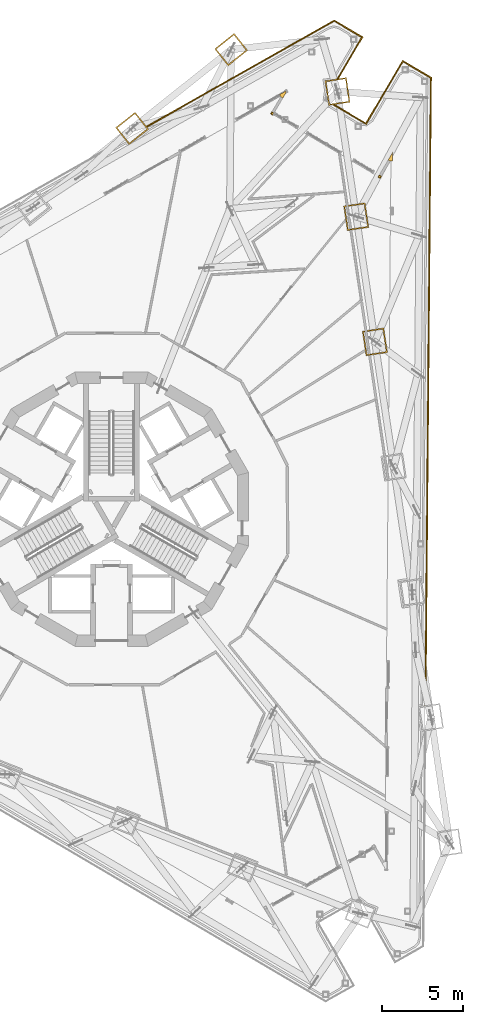
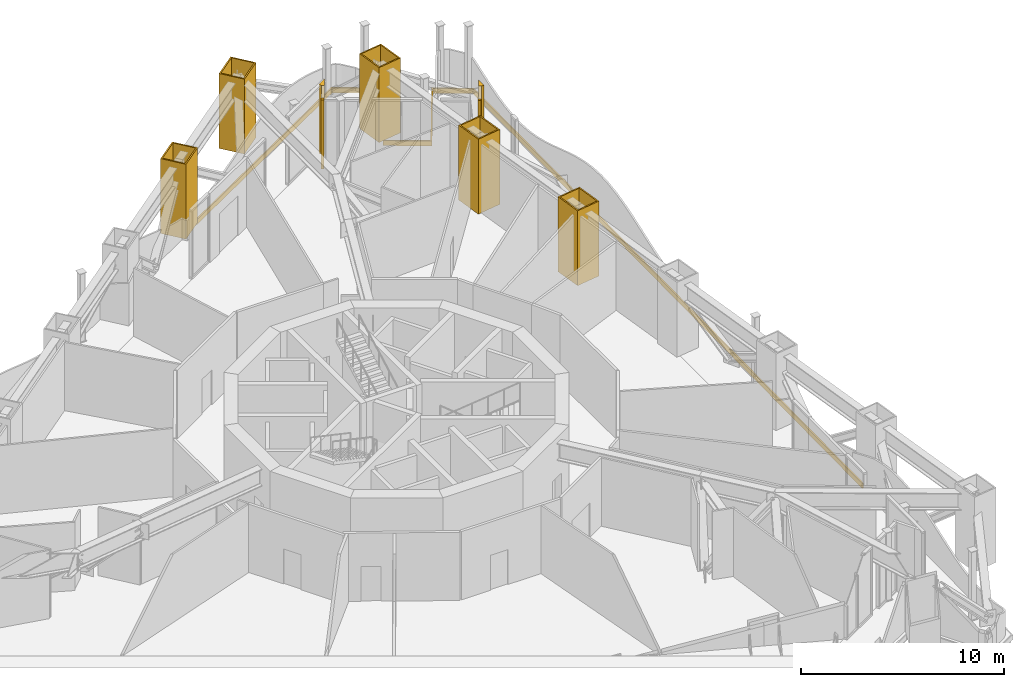
# One storey, part 25 of 27: 11 coverings.
"""IFC4 building model written with IfcOpenShell, lengths in metres."""

from ifc_helpers import new_model, si_unit, direction, frame, origin, place, context, subcontext, project, spatial, polyline, outline, extrude, material, layer, layer_set, type_object, element, save


model = new_model("IFC4")

# Units and contexts
model_context = context("Model", 3, precision=1e-05, world=origin(), true_north=direction((0.0, 1.0)))
body_context = subcontext(model_context, "Body", "Model", "MODEL_VIEW")
ifc_project = project(units=[si_unit("LENGTHUNIT", "METRE"), si_unit("AREAUNIT", "SQUARE_METRE"), si_unit("VOLUMEUNIT", "CUBIC_METRE"), si_unit("PLANEANGLEUNIT", "RADIAN"), si_unit("MASSUNIT", "GRAM", prefix="KILO")], contexts=[model_context])

# Site, building, storey
site_placement = place(None, origin())
site = spatial("IfcSite", under=ifc_project, at=site_placement, CompositionType="ELEMENT")
building_placement = place(site_placement, origin())
building = spatial("IfcBuilding", under=site, at=building_placement, Name="Trine Commons Tower", CompositionType="ELEMENT")
storey_placement = place(building_placement, frame((0.0, 0.0, 193.5)))
storey = spatial("IfcBuildingStorey", under=building, at=storey_placement, Name="L50", CompositionType="ELEMENT", Elevation=193.5)

# Coverings
ifc_material_1 = material(Name="Aluminium-framed insulated wall panel", Category="aluminium")
ifc_layer_1 = layer(ifc_material_1, 0.14990234375)
ifc_layer_set_1 = layer_set([ifc_layer_1], Name="Aluminium-framed insulated wall panel")
covering_type_1 = type_object("IfcCoveringType", Name="Glazing corner post, aluminium", PredefinedType="CLADDING", material=ifc_layer_set_1)
covering_1_placement = place(storey_placement, origin())
element("IfcCovering", 1, at=covering_1_placement, inside=storey, type_object=covering_type_1, Name="Glazing corner post 5-05", PredefinedType="CLADDING", context=body_context, shape_type="SweptSolid", body=[
    extrude(outline(polyline([(90.626220703125, 88.007080078125), (90.910400390625, 88.489501953125), (90.423095703125, 88.213623046875), (90.496826171875, 88.083251953125), (90.626220703125, 88.007080078125)])), origin(), (0.0, 0.0, 1.0), 4.14990234375),
])
covering_2_placement = place(storey_placement, origin())
element("IfcCovering", 2, at=covering_2_placement, inside=storey, type_object=covering_type_1, Name="Glazing corner post 5-06", PredefinedType="CLADDING", context=body_context, shape_type="SweptSolid", body=[
    extrude(outline(polyline([(89.9990234375, 86.9423828125), (90.0751953125, 87.071533203125), (89.94580078125, 87.147705078125), (89.86962890625, 87.018310546875), (89.9990234375, 86.9423828125)])), origin(), (0.0, 0.0, 1.0), 4.14990234375),
])
covering_3_placement = place(storey_placement, origin())
element("IfcCovering", 3, at=covering_3_placement, inside=storey, type_object=covering_type_1, Name="Glazing corner post 5-07", PredefinedType="CLADDING", context=body_context, shape_type="SweptSolid", body=[
    extrude(outline(polyline([(96.530029296875, 83.09521484375), (96.659423828125, 83.01904296875), (96.735595703125, 83.148193359375), (96.606201171875, 83.224365234375), (96.530029296875, 83.09521484375)])), origin(), (0.0, 0.0, 1.0), 4.14990234375),
])
covering_4_placement = place(storey_placement, origin())
element("IfcCovering", 4, at=covering_4_placement, inside=storey, type_object=covering_type_1, Name="Glazing corner post 5-08", PredefinedType="CLADDING", context=body_context, shape_type="SweptSolid", body=[
    extrude(outline(polyline([(97.4365234375, 84.08251953125), (97.44140625, 84.64208984375), (97.1572265625, 84.159912109375), (97.28662109375, 84.083740234375), (97.4365234375, 84.08251953125)])), origin(), (0.0, 0.0, 1.0), 4.14990234375),
])
ifc_material_2 = material(Name="Limestone, honed", Category="masonry")
ifc_layer_2 = layer(ifc_material_2, 0.074951171875)
ifc_layer_set_2 = layer_set([ifc_layer_2], Name="Limestone, honed")
covering_type_2 = type_object("IfcCoveringType", Name="Limestone column cladding 75", PredefinedType="CLADDING", material=ifc_layer_set_2)
covering_5_placement = place(storey_placement, origin())
element("IfcCovering", 5, at=covering_5_placement, inside=storey, type_object=covering_type_2, Name="Limestone pier cladding 6-13", PredefinedType="CLADDING", context=body_context, shape_type="SweptSolid", body=[
    extrude(outline(polyline([(82.302001953125, 86.072998046875), (81.461669921875, 87.129638671875), (80.24853515625, 86.164794921875), (81.089111328125, 85.108154296875), (82.302001953125, 86.072998046875)]), holes=[polyline([(82.196533203125, 86.085205078125), (81.44970703125, 87.024169921875), (80.35400390625, 86.152587890625), (81.10107421875, 85.213623046875), (82.196533203125, 86.085205078125)])]), origin(), (0.0, 0.0, 1.0), 4.5),
])
covering_6_placement = place(storey_placement, origin())
element("IfcCovering", 6, at=covering_6_placement, inside=storey, type_object=covering_type_2, Name="Limestone pier cladding 6-14", PredefinedType="CLADDING", context=body_context, shape_type="SweptSolid", body=[
    extrude(outline(polyline([(88.446044921875, 90.960205078125), (87.605712890625, 92.0166015625), (86.392578125, 91.0517578125), (87.23291015625, 89.995361328125), (88.446044921875, 90.960205078125)]), holes=[polyline([(88.340576171875, 90.97216796875), (87.593505859375, 91.911376953125), (86.498046875, 91.039794921875), (87.2451171875, 90.1005859375), (88.340576171875, 90.97216796875)])]), origin(), (0.0, 0.0, 1.0), 4.5),
])
covering_7_placement = place(storey_placement, origin())
element("IfcCovering", 7, at=covering_7_placement, inside=storey, type_object=covering_type_2, Name="Limestone pier cladding 6-15", PredefinedType="CLADDING", context=body_context, shape_type="SweptSolid", body=[
    extrude(outline(polyline([(94.568115234375, 89.274169921875), (93.23291015625, 89.07470703125), (93.4619140625, 87.54150390625), (94.797119140625, 87.7412109375), (94.568115234375, 89.274169921875)]), holes=[polyline([(94.5048828125, 89.18896484375), (93.318115234375, 89.011474609375), (93.525146484375, 87.626953125), (94.7119140625, 87.80419921875), (94.5048828125, 89.18896484375)])]), origin(), (0.0, 0.0, 1.0), 4.5),
])
covering_8_placement = place(storey_placement, origin())
element("IfcCovering", 8, at=covering_8_placement, inside=storey, type_object=covering_type_2, Name="Limestone pier cladding 6-16", PredefinedType="CLADDING", context=body_context, shape_type="SweptSolid", body=[
    extrude(outline(polyline([(95.728515625, 81.509765625), (94.393310546875, 81.310302734375), (94.622314453125, 79.777099609375), (95.95751953125, 79.976806640625), (95.728515625, 81.509765625)]), holes=[polyline([(95.665283203125, 81.424560546875), (94.478515625, 81.2470703125), (94.685546875, 79.862548828125), (95.872314453125, 80.039794921875), (95.665283203125, 81.424560546875)])]), origin(), (0.0, 0.0, 1.0), 4.5),
])
covering_9_placement = place(storey_placement, origin())
element("IfcCovering", 9, at=covering_9_placement, inside=storey, type_object=covering_type_2, Name="Limestone pier cladding 6-17", PredefinedType="CLADDING", context=body_context, shape_type="SweptSolid", body=[
    extrude(outline(polyline([(96.888671875, 73.74560546875), (95.5537109375, 73.5458984375), (95.78271484375, 72.012939453125), (97.117919921875, 72.21240234375), (96.888671875, 73.74560546875)]), holes=[polyline([(96.82568359375, 73.66015625), (95.638916015625, 73.48291015625), (95.845703125, 72.09814453125), (97.03271484375, 72.275634765625), (96.82568359375, 73.66015625)])]), origin(), (0.0, 0.0, 1.0), 4.5),
])
ifc_layer_3 = layer(ifc_material_2, 0.074951171875)
ifc_layer_set_3 = layer_set([ifc_layer_3], Name="Limestone, honed")
covering_type_3 = type_object("IfcCoveringType", Name="Limestone spandrel panel 75", PredefinedType="CLADDING", material=ifc_layer_set_3)
covering_10_placement = place(storey_placement, frame((0.0, 0.0, -0.300048828125)))
element("IfcCovering", 10, at=covering_10_placement, inside=storey, type_object=covering_type_3, Name="Limestone spandrel panel 5-06", PredefinedType="CLADDING", context=body_context, shape_type="SweptSolid", body=[
    extrude(outline(polyline([(95.768798828125, 86.46240234375), (93.8408203125, 87.59814453125), (93.722900390625, 87.58056640625), (95.79541015625, 86.35986328125), (98.079345703125, 90.237060546875), (99.771484375, 89.240234375), (99.431884765625, 50.312255859375), (99.507080078125, 50.323486328125), (99.846923828125, 89.282958984375), (98.052734375, 90.33984375), (95.768798828125, 86.46240234375)])), origin(), (0.0, 0.0, 1.0), 0.300048828125),
])
covering_11_placement = place(storey_placement, frame((0.0, 0.0, -0.300048828125)))
element("IfcCovering", 11, at=covering_11_placement, inside=storey, type_object=covering_type_3, Name="Limestone spandrel panel 5-08", PredefinedType="CLADDING", context=body_context, shape_type="SweptSolid", body=[
    extrude(outline(polyline([(93.802734375, 92.84326171875), (82.15771484375, 86.254638671875), (82.204833984375, 86.1953125), (93.802001953125, 92.756591796875), (95.494384765625, 91.759765625), (93.978515625, 89.18603515625), (94.07373046875, 89.2001953125), (95.59716796875, 91.786376953125), (93.802734375, 92.84326171875)])), origin(), (0.0, 0.0, 1.0), 0.300048828125),
])

save(model, "model.ifc")
